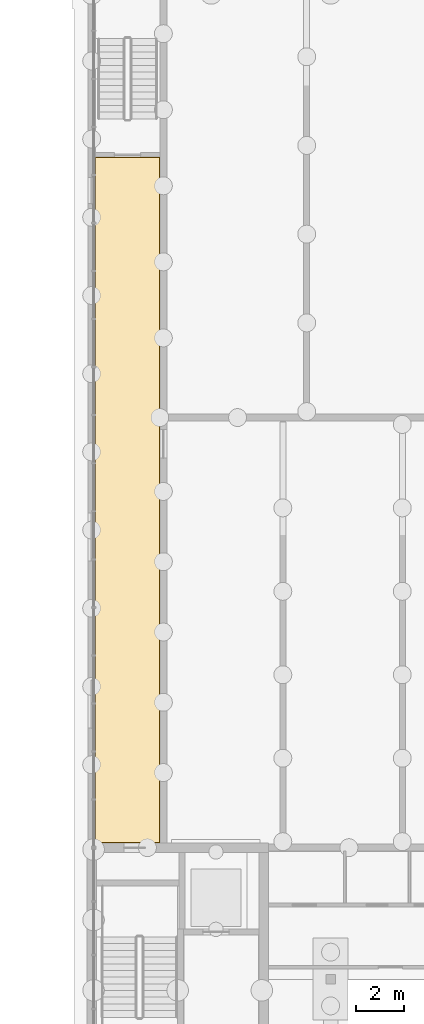
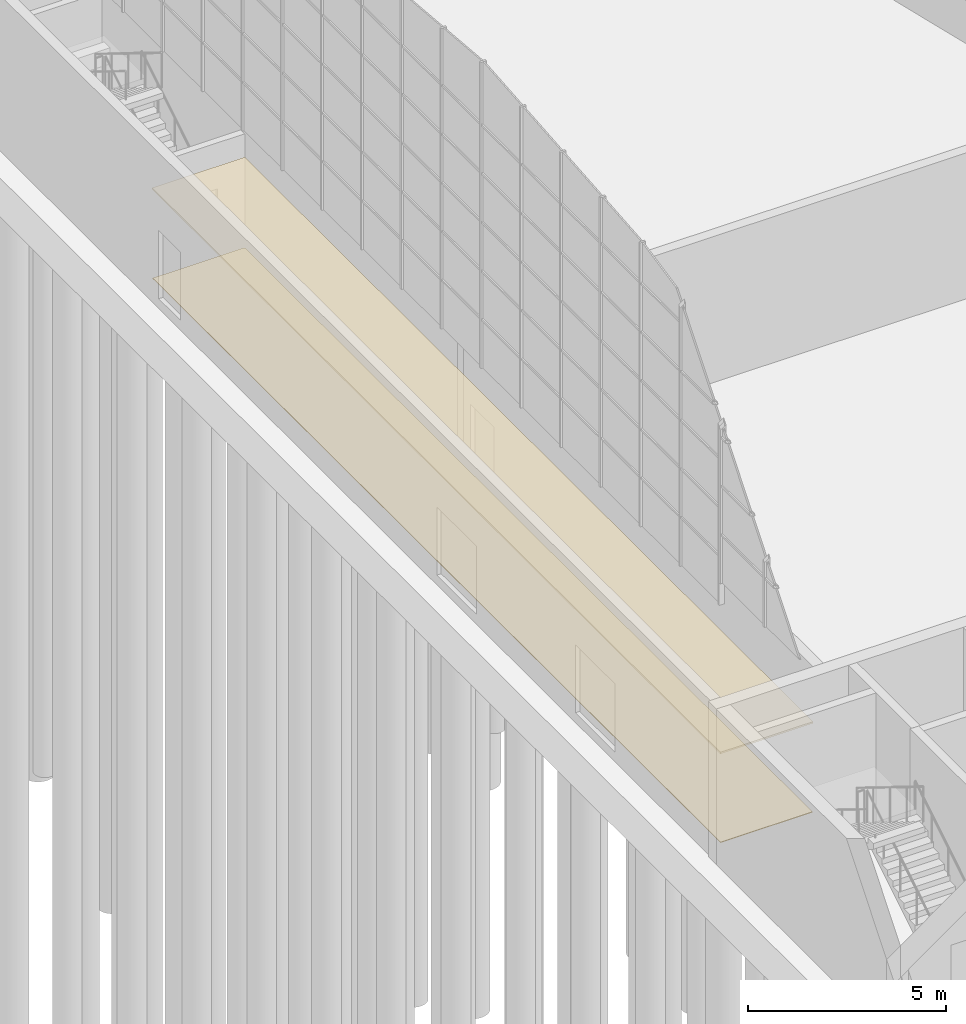
# One storey, part 84 of 106: 2 coverings.
"""IFC4 building model written with IfcOpenShell, lengths in metres."""

from ifc_helpers import new_model, si_unit, direction, frame, origin, place, context, subcontext, project, spatial, polyline, outline, extrude, material, layer, layer_set, type_object, element, save


model = new_model("IFC4")

# Units and contexts
model_context = context("Model", 3, precision=1e-05, world=origin(), true_north=direction((0.0, 1.0)))
body_context = subcontext(model_context, "Body", "Model", "MODEL_VIEW")
ifc_project = project(units=[si_unit("LENGTHUNIT", "METRE"), si_unit("AREAUNIT", "SQUARE_METRE"), si_unit("VOLUMEUNIT", "CUBIC_METRE"), si_unit("PLANEANGLEUNIT", "RADIAN"), si_unit("MASSUNIT", "GRAM", prefix="KILO")], contexts=[model_context])

# Site, building, storey
site_placement = place(None, origin())
site = spatial("IfcSite", under=ifc_project, at=site_placement, CompositionType="ELEMENT")
building_placement = place(site_placement, origin())
building = spatial("IfcBuilding", under=site, at=building_placement, Name="Merrow Basin Faculty of Sciences", CompositionType="ELEMENT")
storey_placement = place(building_placement, origin())
storey = spatial("IfcBuildingStorey", under=building, at=storey_placement, Name="L00", CompositionType="ELEMENT", Elevation=0.0)

# Coverings
ifc_material_1 = material(Name="Polished terrazzo floor")
ifc_layer_1 = layer(ifc_material_1, 0.02001953125)
ifc_layer_set_1 = layer_set([ifc_layer_1], Name="Polished terrazzo floor")
covering_type_1 = type_object("IfcCoveringType", Name="Polished terrazzo floor", PredefinedType="FLOORING", material=ifc_layer_set_1)
covering_1_placement = place(storey_placement, origin())
element("IfcCovering", 1, at=covering_1_placement, inside=storey, type_object=covering_type_1, Name="Floor finish L00-H-009", PredefinedType="FLOORING", context=body_context, shape_type="SweptSolid", body=[
    extrude(outline(polyline([(2.840087890625, 42.889892578125), (2.840087890625, 14.2099609375), (0.159912109375, 14.2099609375), (0.159912109375, 42.889892578125), (2.840087890625, 42.889892578125)])), origin(), (0.0, 0.0, 1.0), 0.02001953125),
])
ifc_material_2 = material(Name="Mineral fibre ceiling tile")
ifc_layer_2 = layer(ifc_material_2, 0.050048828125)
ifc_layer_set_2 = layer_set([ifc_layer_2], Name="Suspended acoustic ceiling tile")
covering_type_2 = type_object("IfcCoveringType", Name="Suspended acoustic ceiling tile", PredefinedType="CEILING", material=ifc_layer_set_2)
covering_2_placement = place(storey_placement, frame((0.0, 0.0, 2.75)))
element("IfcCovering", 2, at=covering_2_placement, inside=storey, type_object=covering_type_2, Name="Ceiling L00-H-009", PredefinedType="CEILING", context=body_context, shape_type="SweptSolid", body=[
    extrude(outline(polyline([(2.85009765625, 42.89990234375), (2.85009765625, 14.199951171875), (0.14990234375, 14.199951171875), (0.14990234375, 42.89990234375), (2.85009765625, 42.89990234375)])), origin(), (0.0, 0.0, 1.0), 0.050048828125),
])

save(model, "model.ifc")
